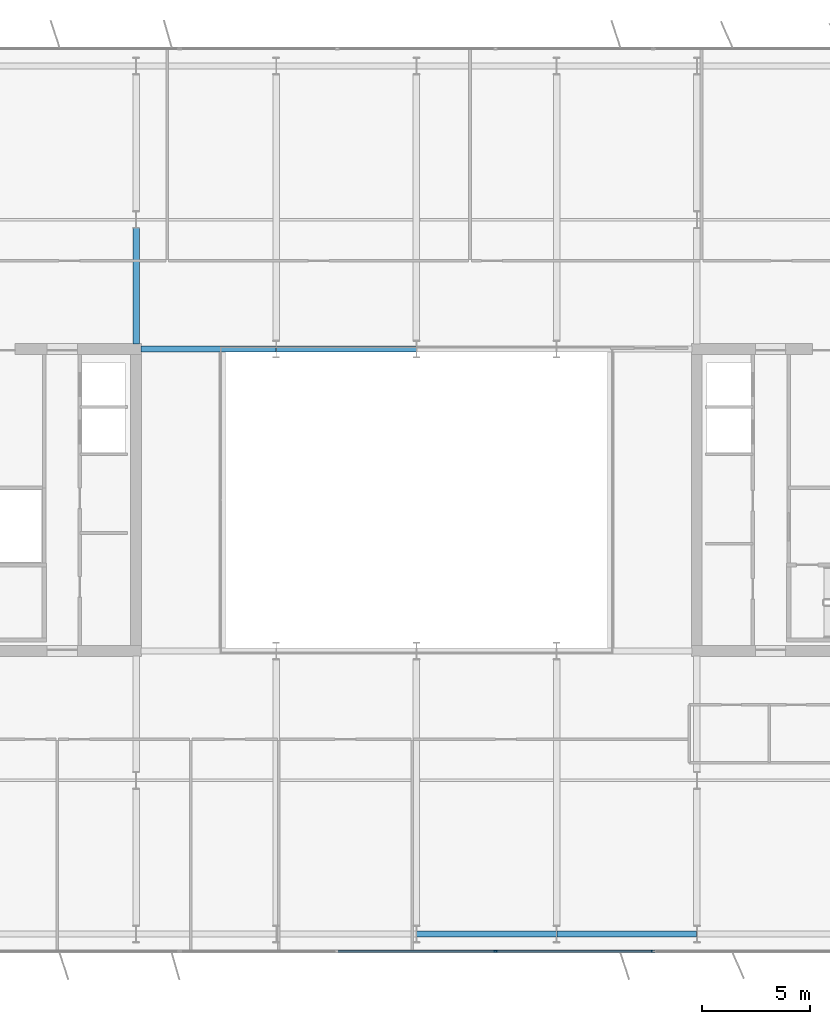
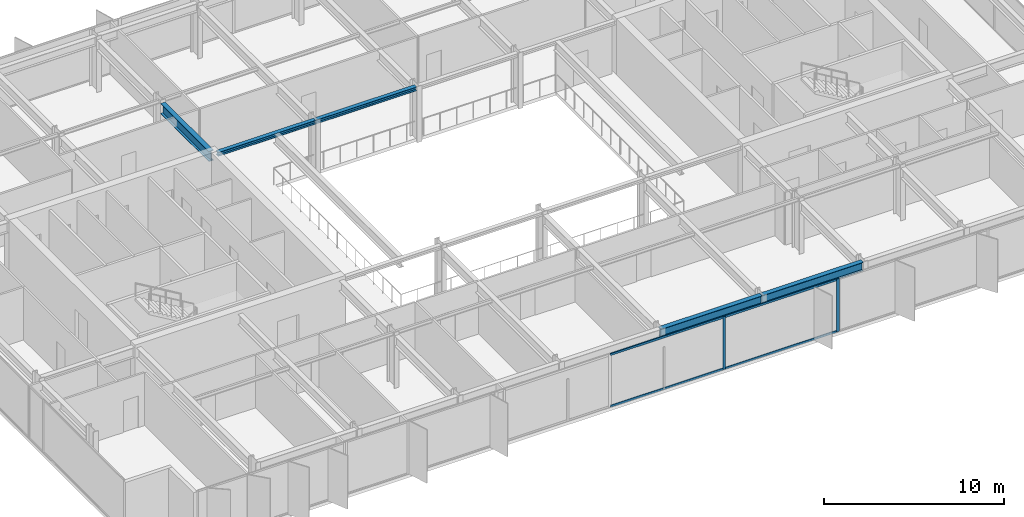
# One storey, part 6 of 23: 6 members, 5 beams, 1 element without a shape of its own.
"""IFC4 building model written with IfcOpenShell, lengths in metres."""

from ifc_helpers import new_model, si_unit, direction, frame, origin, origin_2d, place, context, subcontext, project, spatial, rectangle, i_section, extrude, material, layer, layer_set, material_profile, profile_set, type_object, element, aggregate, save


model = new_model("IFC4")

# Units and contexts
model_context = context("Model", 3, precision=1e-05, world=origin(), true_north=direction((0.0, 1.0)))
body_context = subcontext(model_context, "Body", "Model", "MODEL_VIEW")
ifc_project = project(units=[si_unit("LENGTHUNIT", "METRE"), si_unit("AREAUNIT", "SQUARE_METRE"), si_unit("VOLUMEUNIT", "CUBIC_METRE"), si_unit("PLANEANGLEUNIT", "RADIAN"), si_unit("MASSUNIT", "GRAM", prefix="KILO")], contexts=[model_context])

# Site, building, storey
site_placement = place(None, origin())
site = spatial("IfcSite", under=ifc_project, at=site_placement, CompositionType="ELEMENT")
building_placement = place(site_placement, origin())
building = spatial("IfcBuilding", under=site, at=building_placement, Name="Putna Gate Headquarters", CompositionType="ELEMENT")
storey_placement = place(building_placement, frame((0.0, 0.0, 221.39990234375)))
storey = spatial("IfcBuildingStorey", under=building, at=storey_placement, Name="L55", CompositionType="ELEMENT", Elevation=221.39990234375)

# Beams
ifc_material_1 = material(Name="Steel S355J2", Category="steel")
ifc_material_profile_1 = material_profile(ifc_material_1, i_section(OverallWidth=0.260009765625, OverallDepth=0.260009765625, WebThickness=0.010009765625, FlangeThickness=0.017578125, at=origin_2d()), Name="Steel S355J2")
ifc_profile_set_1 = profile_set([ifc_material_profile_1], Name="Steel S355J2")
beam_type_1 = type_object("IfcBeamType", Name="BM-ATRIUM-HEB260", PredefinedType="BEAM", material=ifc_profile_set_1)
beam_1_placement = place(storey_placement, frame((26.235107421875, 33.0, 3.4501953125), z_axis=(1.0, 0.0, 0.0), x_axis=(0.0, 1.0, 0.0)))
element("IfcBeam", 1, at=beam_1_placement, inside=storey, type_object=beam_type_1, Name="L55 Atrium Edge Beam AN1", PredefinedType="BEAM", context=body_context, shape_type="SweptSolid", body=[
    extrude(i_section(OverallWidth=0.260009765625, OverallDepth=0.260009765625, WebThickness=0.010009765625, FlangeThickness=0.017578125, at=origin_2d()), origin(), (0.0, 0.0, 1.0), 6.2587890625),
])
beam_2_placement = place(storey_placement, frame((32.506103515625, 33.0, 3.4501953125), z_axis=(1.0, 0.0, 0.0), x_axis=(0.0, 1.0, 0.0)))
element("IfcBeam", 2, at=beam_2_placement, inside=storey, type_object=beam_type_1, Name="L55 Atrium Edge Beam AN2", PredefinedType="BEAM", context=body_context, shape_type="SweptSolid", body=[
    extrude(i_section(OverallWidth=0.260009765625, OverallDepth=0.260009765625, WebThickness=0.010009765625, FlangeThickness=0.017578125, at=origin_2d()), origin(), (0.0, 0.0, 1.0), 6.48779296875),
])
ifc_material_profile_2 = material_profile(ifc_material_1, i_section(OverallWidth=0.300048828125, OverallDepth=0.699951171875, WebThickness=0.01708984375, FlangeThickness=0.031982421875, at=origin_2d()), Name="Steel S355J2")
ifc_profile_set_2 = profile_set([ifc_material_profile_2], Name="Steel S355J2")
beam_type_2 = type_object("IfcBeamType", Name="BM-GIRD-B-HEB700", PredefinedType="USERDEFINED", material=ifc_profile_set_2)
beam_3_placement = place(storey_placement, frame((26.0, 33.235107421875, 3.22998046875), z_axis=(0.0, 1.0, 0.0), x_axis=(-1.0, 0.0, 0.0)))
element("IfcBeam", 3, at=beam_3_placement, inside=storey, type_object=beam_type_2, Name="L55 North Primary Girder X26-1", ObjectType="GIRDER", PredefinedType="USERDEFINED", context=body_context, shape_type="SweptSolid", body=[
    extrude(i_section(OverallWidth=0.300048828125, OverallDepth=0.699951171875, WebThickness=0.01708984375, FlangeThickness=0.031982421875, at=origin_2d()), origin(), (0.0, 0.0, 1.0), 5.369873046875),
])
ifc_material_profile_3 = material_profile(ifc_material_1, i_section(OverallWidth=0.300048828125, OverallDepth=0.590087890625, WebThickness=0.012939453125, FlangeThickness=0.02490234375, at=origin_2d()), Name="Steel S355J2")
ifc_profile_set_3 = profile_set([ifc_material_profile_3], Name="Steel S355J2")
beam_type_3 = type_object("IfcBeamType", Name="BM-SPAN-Z4-HEA600", PredefinedType="SPANDREL", material=ifc_profile_set_3)
for number, where, z_axis, x_axis, name in (
    (4, (39.006103515625, 5.8798828125, 3.28515625), (1.0, 0.0, 0.0), (0.0, 1.0, 0.0), "L55 S Perimeter Spandrel 5"),
    (5, (45.506103515625, 5.8798828125, 3.28515625), (1.0, 0.0, 0.0), (0.0, 1.0, 0.0), "L55 S Perimeter Spandrel 6"),
):
    element("IfcBeam", number, at=place(storey_placement, frame(where, z_axis=z_axis, x_axis=x_axis)), inside=storey, type_object=beam_type_3, Name=name, PredefinedType="SPANDREL", context=body_context, shape_type="SweptSolid", body=[
        extrude(i_section(OverallWidth=0.300048828125, OverallDepth=0.590087890625, WebThickness=0.012939453125, FlangeThickness=0.02490234375, at=origin_2d()), origin(), (0.0, 0.0, 1.0), 6.48779296875),
    ])

# Curtain wall, members
ifc_material_2 = material(Name="Anodised bronze aluminium curtain wall", Category="aluminium")
ifc_layer = layer(ifc_material_2, 0.179931640625)
ifc_layer_set = layer_set([ifc_layer], Name="Anodised bronze aluminium curtain wall")
curtain_wall_type = type_object("IfcCurtainWallType", Name="CW-SYS-ATR", PredefinedType="USERDEFINED", material=ifc_layer_set)
curtain_wall_placement = place(storey_placement, origin())
curtain_wall = element("IfcCurtainWall", 6, at=curtain_wall_placement, inside=storey, type_object=curtain_wall_type, Name="L55 South Atrium Clear Glazing", ObjectType="ATRIUM GLAZING", PredefinedType="USERDEFINED")
ifc_material_3 = material(Name="Anodised bronze aluminium EN AW-6060", Category="aluminium")
ifc_material_profile_4 = material_profile(ifc_material_3, rectangle(XDim=0.070068359375, YDim=0.179931640625, at=origin_2d()), Name="Anodised bronze aluminium EN AW-6060")
ifc_profile_set_4 = profile_set([ifc_material_profile_4], Name="Anodised bronze aluminium EN AW-6060")
member_type_1 = type_object("IfcMemberType", Name="MULL-CWM-AT", PredefinedType="MULLION", material=ifc_profile_set_4)
member_1_placement = place(storey_placement, frame((42.666748046875, 5.080078125, 0.0), z_axis=(0.0, 0.0, 1.0), x_axis=(0.0, 1.0, 0.0)))
member_1 = element("IfcMember", 7, at=member_1_placement, type_object=member_type_1, Name="CWS-AT mullion 3", PredefinedType="MULLION", context=body_context, shape_type="SweptSolid", body=[
    extrude(rectangle(XDim=0.070068359375, YDim=0.179931640625, at=origin_2d()), origin(), (0.0, 0.0, 1.0), 3.580078125),
])
member_2_placement = place(storey_placement, frame((49.965087890625, 5.080078125, 0.0), z_axis=(0.0, 0.0, 1.0), x_axis=(0.0, 1.0, 0.0)))
member_2 = element("IfcMember", 8, at=member_2_placement, type_object=member_type_1, Name="CWS-AT mullion 4", PredefinedType="MULLION", context=body_context, shape_type="SweptSolid", body=[
    extrude(rectangle(XDim=0.070068359375, YDim=0.179931640625, at=origin_2d()), origin(), (0.0, 0.0, 1.0), 3.580078125),
])
ifc_material_profile_5 = material_profile(ifc_material_3, rectangle(XDim=0.070068359375, YDim=0.139892578125, at=origin_2d()), Name="Anodised bronze aluminium EN AW-6060")
ifc_profile_set_5 = profile_set([ifc_material_profile_5], Name="Anodised bronze aluminium EN AW-6060")
member_type_2 = type_object("IfcMemberType", Name="TRAN-CWT-AT", PredefinedType="USERDEFINED", material=ifc_profile_set_5)
member_3_placement = place(storey_placement, frame((35.368408203125, 5.080078125, 0.03515625), z_axis=(1.0, 0.0, 0.0), x_axis=(0.0, 1.0, 0.0)))
member_3 = element("IfcMember", 9, at=member_3_placement, type_object=member_type_2, Name="CWS-AT transom 2.1", ObjectType="TRANSOM", PredefinedType="USERDEFINED", context=body_context, shape_type="SweptSolid", body=[
    extrude(rectangle(XDim=0.070068359375, YDim=0.139892578125, at=origin_2d()), origin(), (0.0, 0.0, 1.0), 7.26318359375),
])
member_4_placement = place(storey_placement, frame((35.368408203125, 5.080078125, 3.545166015625), z_axis=(1.0, 0.0, 0.0), x_axis=(0.0, 1.0, 0.0)))
member_4 = element("IfcMember", 10, at=member_4_placement, type_object=member_type_2, Name="CWS-AT transom 2.2", ObjectType="TRANSOM", PredefinedType="USERDEFINED", context=body_context, shape_type="SweptSolid", body=[
    extrude(rectangle(XDim=0.070068359375, YDim=0.139892578125, at=origin_2d()), origin(), (0.0, 0.0, 1.0), 7.26318359375),
])
member_5_placement = place(storey_placement, frame((42.70166015625, 5.080078125, 0.03515625), z_axis=(1.0, 0.0, 0.0), x_axis=(0.0, 1.0, 0.0)))
member_5 = element("IfcMember", 11, at=member_5_placement, type_object=member_type_2, Name="CWS-AT transom 3.1", ObjectType="TRANSOM", PredefinedType="USERDEFINED", context=body_context, shape_type="SweptSolid", body=[
    extrude(rectangle(XDim=0.070068359375, YDim=0.139892578125, at=origin_2d()), origin(), (0.0, 0.0, 1.0), 7.228271484375),
])
member_6_placement = place(storey_placement, frame((42.70166015625, 5.080078125, 3.545166015625), z_axis=(1.0, 0.0, 0.0), x_axis=(0.0, 1.0, 0.0)))
member_6 = element("IfcMember", 12, at=member_6_placement, type_object=member_type_2, Name="CWS-AT transom 3.2", ObjectType="TRANSOM", PredefinedType="USERDEFINED", context=body_context, shape_type="SweptSolid", body=[
    extrude(rectangle(XDim=0.070068359375, YDim=0.139892578125, at=origin_2d()), origin(), (0.0, 0.0, 1.0), 7.228271484375),
])
aggregate(curtain_wall, [member_1, member_2, member_3, member_4, member_5, member_6])

save(model, "model.ifc")
